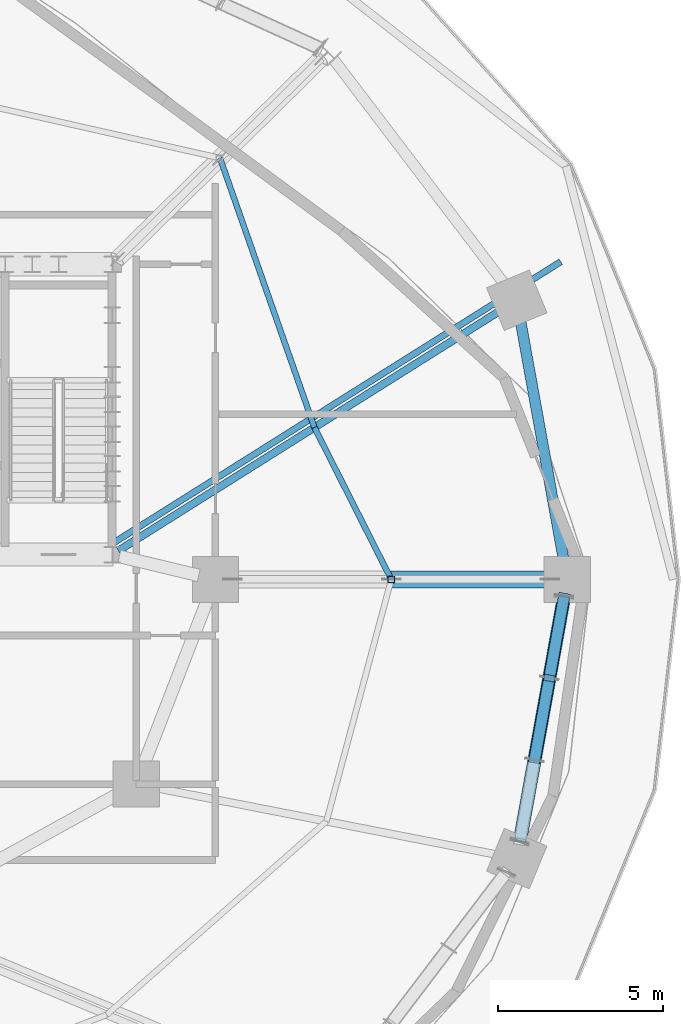
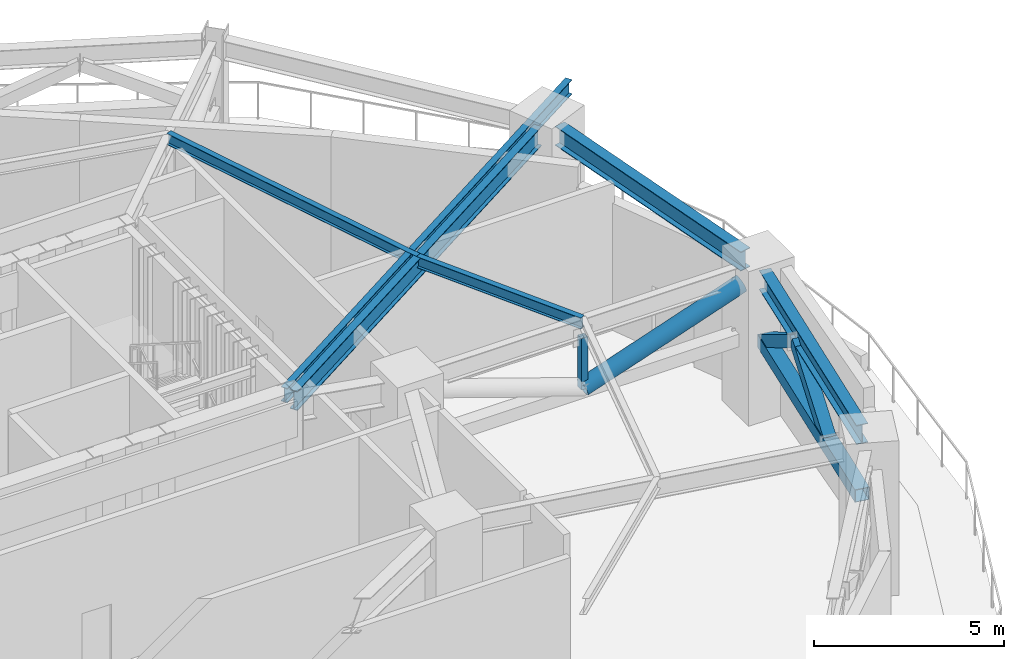
# One storey, part 5 of 18: 6 beams, 5 members.
"""IFC4 building model written with IfcOpenShell, lengths in metres."""

import ifcopenshell
import ifcopenshell.guid

model = None  # the IFC model being written
_history = None  # IfcOwnerHistory: only IFC2X3 demands one
_inside = {}  # id of a spatial element -> (the spatial element, [elements in it])
_under = {}  # id of a project, library or spatial element -> (it, [spatial elements below it])
_declared = {}  # id of a project -> (the project, [libraries it declares])
_typed = {}  # id of a type object -> (the type object, [elements of that type])
_made_of = {}  # id of a material, layer set ... -> (it, [elements and type objects made of it])


def new_model(schema):
    """Start an empty IFC model of exactly this schema.

    Asked for "IFC4X3", IfcOpenShell would pick the latest addendum, in which some entities
    have other attributes; the version numbers below select the first issue.
    IFC2X3 requires an IfcOwnerHistory on every rooted entity: one is made here for all.
    """
    global model, _history
    if schema == "IFC4X3":
        model = ifcopenshell.file(schema_version=(4, 3, 0, 0))
    else:
        model = ifcopenshell.file(schema=schema)
    _inside.clear()
    _under.clear()
    _declared.clear()
    _typed.clear()
    _made_of.clear()
    _history = None
    if model.schema == "IFC2X3":
        org = make("IfcOrganization", Name="unknown")
        user = make(
            "IfcPersonAndOrganization",
            ThePerson=make("IfcPerson", FamilyName="unknown"),
            TheOrganization=org,
        )
        app = make(
            "IfcApplication",
            ApplicationDeveloper=org,
            Version="unknown",
            ApplicationFullName="unknown",
            ApplicationIdentifier="unknown",
        )
        _history = make(
            "IfcOwnerHistory",
            OwningUser=user,
            OwningApplication=app,
            ChangeAction="ADDED",
            CreationDate=0,
        )
    return model


def make(cls, **values):
    """One entity of the class cls with the attributes given. An attribute that is None is left unset."""
    return model.create_entity(
        cls, **{name: value for name, value in values.items() if value is not None}
    )


def rooted(cls, **values):
    """An entity with a GlobalId (a new one), such as an element, a storey or a relation."""
    return make(cls, GlobalId=ifcopenshell.guid.new(), OwnerHistory=_history, **values)


def si_unit(unit_type, name, prefix=None):
    """IfcSIUnit, for example si_unit("LENGTHUNIT", "METRE", prefix="MILLI")."""
    return make("IfcSIUnit", UnitType=unit_type, Prefix=prefix, Name=name)


def assignment(units):
    """IfcUnitAssignment: the units of a project."""
    return None if units is None else make("IfcUnitAssignment", Units=units)


def point(xyz):
    """IfcCartesianPoint."""
    return None if xyz is None else make("IfcCartesianPoint", Coordinates=xyz)


def direction(xyz):
    """IfcDirection."""
    return None if xyz is None else make("IfcDirection", DirectionRatios=xyz)


def frame(location, z_axis=None, x_axis=None):
    """IfcAxis2Placement3D, a coordinate frame: its origin and axes. An axis left out is left unset."""
    return make(
        "IfcAxis2Placement3D",
        Location=point(location),
        Axis=direction(z_axis),
        RefDirection=direction(x_axis),
    )


def frame_2d(location, x_axis=None):
    """IfcAxis2Placement2D, a coordinate frame in the plane: its origin and x axis."""
    return make(
        "IfcAxis2Placement2D", Location=point(location), RefDirection=direction(x_axis)
    )


def origin():
    """The frame at (0, 0, 0) with its axes left unset."""
    return frame((0.0, 0.0, 0.0))


def origin_2d():
    """The frame at (0, 0) in the plane with its x axis left unset."""
    return frame_2d((0.0, 0.0))


def place(relative_to, where):
    """IfcLocalPlacement: puts the frame where relative to a parent placement (None: the world)."""
    return make(
        "IfcLocalPlacement", PlacementRelTo=relative_to, RelativePlacement=where
    )


def context(
    kind, dimensions, precision=None, world=None, true_north=None, identifier=None
):
    """IfcGeometricRepresentationContext, for example the 3D "Model" context."""
    return make(
        "IfcGeometricRepresentationContext",
        ContextIdentifier=identifier,
        ContextType=kind,
        CoordinateSpaceDimension=dimensions,
        Precision=precision,
        WorldCoordinateSystem=world,
        TrueNorth=true_north,
    )


def subcontext(parent, identifier, kind, view, scale=None):
    """IfcGeometricRepresentationSubContext, for example "Body" below "Model"."""
    return make(
        "IfcGeometricRepresentationSubContext",
        ContextIdentifier=identifier,
        ContextType=kind,
        ParentContext=parent,
        TargetScale=scale,
        TargetView=view,
    )


def project(units=None, contexts=None):
    """IfcProject with its units and contexts."""
    return rooted(
        "IfcProject",
        Name="project",
        RepresentationContexts=contexts,
        UnitsInContext=assignment(units),
    )


def spatial(cls, under=None, at=None, **own):
    """A site, building, storey or space (cls), placed at a placement, below another one or the project."""
    s = rooted(cls, ObjectPlacement=at, **own)
    if under is not None:
        _under.setdefault(under.id(), (under, []))[1].append(s)
    return s


def profile(cls, at=None, kind="AREA", **sizes):
    """A parametric profile (cls). Its sizes go by their IFC names, for example OverallWidth=200.0."""
    return make(cls, ProfileType=kind, Position=at, **sizes)


def hollow_rectangle(**sizes):
    """IfcRectangleHollowProfileDef."""
    return profile("IfcRectangleHollowProfileDef", **sizes)


def hollow_circle(**sizes):
    """IfcCircleHollowProfileDef."""
    return profile("IfcCircleHollowProfileDef", **sizes)


def i_section(**sizes):
    """IfcIShapeProfileDef."""
    return profile("IfcIShapeProfileDef", **sizes)


def extrude(swept, where, along, depth):
    """IfcExtrudedAreaSolid: the profile swept, set in the frame where, extruded along a direction by depth."""
    return make(
        "IfcExtrudedAreaSolid",
        SweptArea=swept,
        Position=where,
        ExtrudedDirection=direction(along),
        Depth=depth,
    )


def shape(context_of_items, identifier, shape_type, items):
    """IfcShapeRepresentation: the items that make up one representation, for example the "Body"."""
    return make(
        "IfcShapeRepresentation",
        ContextOfItems=context_of_items,
        RepresentationIdentifier=identifier,
        RepresentationType=shape_type,
        Items=items,
    )


def material(Name=None, Category=None):
    """IfcMaterial."""
    return make("IfcMaterial", Name=Name, Category=Category)


def material_profile(
    of_material, cross_section, Name=None, Category=None, Priority=None
):
    """IfcMaterialProfile: a cross section and its material."""
    return make(
        "IfcMaterialProfile",
        Name=Name,
        Material=of_material,
        Profile=cross_section,
        Priority=Priority,
        Category=Category,
    )


def profile_set(profiles, Name=None, composite=None):
    """IfcMaterialProfileSet."""
    return make(
        "IfcMaterialProfileSet",
        Name=Name,
        MaterialProfiles=profiles,
        CompositeProfile=composite,
    )


def made_of(thing, what):
    """Note that an element or type object is made of a material, layer set ...; save() writes the relation."""
    if what is not None:
        _made_of.setdefault(what.id(), (what, []))[1].append(thing)
    return thing


def type_object(cls, material=None, **own):
    """A type object (cls), such as IfcWallType, which elements share."""
    return made_of(rooted(cls, **own), material)


def element(
    cls,
    number,
    at=None,
    inside=None,
    cuts=None,
    type_object=None,
    material=None,
    context=None,
    identifier="Body",
    shape_type=None,
    held_by="IfcProductDefinitionShape",
    body=None,
    shapes=None,
    **own,
):
    """One element of the class cls, such as IfcWall. Its Tag is "e" and its number.

    at: its placement. inside: the storey or other place that contains it. cuts: it is an
    opening in that element (IfcRelVoidsElement). A single representation is given by context,
    identifier, shape_type and body (its items); several are given by shapes. held_by: the class
    of the entity that holds the representations. save() writes the other relations.
    """
    e = rooted(cls, Tag="e%d" % number, ObjectPlacement=at, **own)
    if body is not None:
        shapes = [shape(context, identifier, shape_type, body)]
    if shapes is not None:
        e.Representation = make(held_by, Representations=shapes)
    if inside is not None:
        _inside.setdefault(inside.id(), (inside, []))[1].append(e)
    if cuts is not None:
        rooted(
            "IfcRelVoidsElement", RelatingBuildingElement=cuts, RelatedOpeningElement=e
        )
    if type_object is not None:
        _typed.setdefault(type_object.id(), (type_object, []))[1].append(e)
    return made_of(e, material)


def aggregate(whole, parts):
    """IfcRelAggregates: a whole, such as a stair, and the parts it consists of."""
    return rooted("IfcRelAggregates", RelatingObject=whole, RelatedObjects=parts)


def save(model, path):
    """Write the relations noted so far, then the file.

    IfcRelAggregates (storeys below a building ...), IfcRelContainedInSpatialStructure (elements
    in a storey), IfcRelDefinesByType, IfcRelAssociatesMaterial and IfcRelDeclares: one each for
    every whole, place, type object, material and project.
    """
    for whole, parts in _under.values():
        aggregate(whole, parts)
    for where, things in _inside.values():
        rooted(
            "IfcRelContainedInSpatialStructure",
            RelatedElements=things,
            RelatingStructure=where,
        )
    for kind, things in _typed.values():
        rooted("IfcRelDefinesByType", RelatedObjects=things, RelatingType=kind)
    for what, things in _made_of.values():
        rooted("IfcRelAssociatesMaterial", RelatedObjects=things, RelatingMaterial=what)
    for by, libraries in _declared.values():
        rooted("IfcRelDeclares", RelatingContext=by, RelatedDefinitions=libraries)
    model.write(path)


model = new_model("IFC4")

# Units and contexts
model_context = context("Model", 3, precision=1e-05, world=origin(), true_north=direction((0.0, 1.0)))
body_context = subcontext(model_context, "Body", "Model", "MODEL_VIEW")
ifc_project = project(units=[si_unit("LENGTHUNIT", "METRE"), si_unit("AREAUNIT", "SQUARE_METRE"), si_unit("VOLUMEUNIT", "CUBIC_METRE"), si_unit("PLANEANGLEUNIT", "RADIAN"), si_unit("MASSUNIT", "GRAM", prefix="KILO")], contexts=[model_context])

# Site, building, storey
site_placement = place(None, origin())
site = spatial("IfcSite", under=ifc_project, at=site_placement, CompositionType="ELEMENT")
building_placement = place(site_placement, origin())
building = spatial("IfcBuilding", under=site, at=building_placement, Name="Haldorwick Loom Tower", CompositionType="ELEMENT")
storey_placement = place(building_placement, frame((0.0, 0.0, 76.800048828125)))
storey = spatial("IfcBuildingStorey", under=building, at=storey_placement, Name="L20", CompositionType="ELEMENT", Elevation=76.800048828125)

# Beams
ifc_material = material(Name="Steel CSA G40.21 350W", Category="steel")
ifc_material_profile_1 = material_profile(ifc_material, i_section(OverallWidth=0.193115234375, OverallDepth=0.466064453125, WebThickness=0.011474609375, FlangeThickness=0.01904296875, at=origin_2d()), Name="W460X97", Category="steel")
ifc_profile_set_1 = profile_set([ifc_material_profile_1], Name="Steel CSA G40.21 350W")
beam_type_1 = type_object("IfcBeamType", Name="STR-BM-BAL460", PredefinedType="BEAM", material=ifc_profile_set_1)
beam_1_placement = place(storey_placement, frame((50.111572265625, 27.106689453125, 4.52685546875), z_axis=(0.846609845451, 0.532214026108, 0.0), x_axis=(-0.532214026108, 0.846609845451, 0.0)))
element("IfcBeam", 1, at=beam_1_placement, inside=storey, type_object=beam_type_1, Name="L20 Continuous Back-Spanned Balcony Beam 4", PredefinedType="BEAM", context=body_context, shape_type="SweptSolid", body=[
    extrude(i_section(OverallWidth=0.193115234375, OverallDepth=0.466064453125, WebThickness=0.011474609375, FlangeThickness=0.01904296875, at=origin_2d()), origin(), (0.0, 0.0, 1.0), 16.0068359375),
])
ifc_material_profile_2 = material_profile(ifc_material, i_section(OverallWidth=0.172119140625, OverallDepth=0.35791015625, WebThickness=0.0078125, FlangeThickness=0.01318359375, at=origin_2d()), Name="W360X57", Category="steel")
ifc_profile_set_2 = profile_set([ifc_material_profile_2], Name="Steel CSA G40.21 350W")
beam_type_2 = type_object("IfcBeamType", Name="STR-BM-J360", PredefinedType="JOIST", material=ifc_profile_set_2)
beam_2_placement = place(storey_placement, frame((58.52880859375, 26.0, 4.5810546875), z_axis=(-0.451373231558, 0.892335254169, 0.0), x_axis=(-0.892335254169, -0.451373231558, 0.0)))
element("IfcBeam", 2, at=beam_2_placement, inside=storey, type_object=beam_type_2, Name="L20 Mid-Bay Secondary Joist 1", PredefinedType="JOIST", context=body_context, shape_type="SweptSolid", body=[
    extrude(i_section(OverallWidth=0.172119140625, OverallDepth=0.35791015625, WebThickness=0.0078125, FlangeThickness=0.01318359375, at=origin_2d()), origin(), (0.0, 0.0, 1.0), 5.158935546875),
])
beam_3_placement = place(storey_placement, frame((56.2001953125, 30.603515625, 4.5810546875), z_axis=(-0.330864603503, 0.943678236556, 0.0), x_axis=(-0.943678236556, -0.330864603503, 0.0)))
element("IfcBeam", 3, at=beam_3_placement, inside=storey, type_object=beam_type_2, Name="L20 Mid-Bay Secondary Joist 2", PredefinedType="JOIST", context=body_context, shape_type="SweptSolid", body=[
    extrude(i_section(OverallWidth=0.172119140625, OverallDepth=0.35791015625, WebThickness=0.0078125, FlangeThickness=0.01318359375, at=origin_2d()), origin(), (0.0, 0.0, 1.0), 8.6494140625),
])
ifc_material_profile_3 = material_profile(ifc_material, i_section(OverallWidth=0.324951171875, OverallDepth=0.615966796875, WebThickness=0.013916015625, FlangeThickness=0.021484375, at=origin_2d()), Name="W610X174", Category="steel")
ifc_profile_set_3 = profile_set([ifc_material_profile_3], Name="Steel CSA G40.21 350W")
beam_type_3 = type_object("IfcBeamType", Name="STR-BM-SP610", PredefinedType="SPANDREL", material=ifc_profile_set_3)
for number, where, z_axis, x_axis, name in (
    (4, (63.76513671875, 26.51171875, 4.451904296875), (-0.177659490888, 0.984092020747, 0.0), (-0.984092020747, -0.177659490888, 0.0), "L20 Perimeter Spandrel 1"),
    (5, (62.423095703125, 18.054443359375, 4.451904296875), (0.177659490888, 0.984092020747, 0.0), (-0.984092020747, 0.177659490888, 0.0), "L20 Perimeter Spandrel 16"),
):
    element("IfcBeam", number, at=place(storey_placement, frame(where, z_axis=z_axis, x_axis=x_axis)), inside=storey, type_object=beam_type_3, Name=name, PredefinedType="SPANDREL", context=body_context, shape_type="SweptSolid", body=[
        extrude(i_section(OverallWidth=0.324951171875, OverallDepth=0.615966796875, WebThickness=0.013916015625, FlangeThickness=0.021484375, at=origin_2d()), origin(), (0.0, 0.0, 1.0), 7.553955078125),
    ])
ifc_material_profile_4 = material_profile(ifc_material, i_section(OverallWidth=0.22998046875, OverallDepth=0.616943359375, WebThickness=0.01318359375, FlangeThickness=0.022216796875, at=origin_2d()), Name="W610X140", Category="steel")
ifc_profile_set_4 = profile_set([ifc_material_profile_4], Name="Steel CSA G40.21 350W")
beam_type_4 = type_object("IfcBeamType", Name="STR-BM-W610B", PredefinedType="BEAM", material=ifc_profile_set_4)
beam_4_placement = place(storey_placement, frame((50.260498046875, 26.86962890625, 4.451416015625), z_axis=(0.846609551433, 0.532214493811, 0.0), x_axis=(-0.532214493811, 0.846609551433, 0.0)))
element("IfcBeam", 6, at=beam_4_placement, inside=storey, type_object=beam_type_4, Name="L20 Radial Floor Girder 2", PredefinedType="BEAM", context=body_context, shape_type="SweptSolid", body=[
    extrude(i_section(OverallWidth=0.22998046875, OverallDepth=0.616943359375, WebThickness=0.01318359375, FlangeThickness=0.022216796875, at=origin_2d()), origin(), (0.0, 0.0, 1.0), 13.737060546875),
])

# Members
ifc_material_profile_5 = material_profile(ifc_material, hollow_rectangle(XDim=0.355712890625, YDim=0.355712890625, WallThickness=0.015869140625, at=origin_2d()), Name="HSS356X356X16", Category="steel")
ifc_profile_set_5 = profile_set([ifc_material_profile_5], Name="Steel CSA G40.21 350W")
member_type_1 = type_object("IfcMemberType", Name="STR-MEM-BR356", PredefinedType="BRACE", material=ifc_profile_set_5)
member_1_placement = place(storey_placement, frame((62.870361328125, 20.532470703125, 2.5), z_axis=(0.148818530754, 0.823982143275, 0.546723396671), x_axis=(-0.984078676094, 0.177733393761, 0.0)))
element("IfcMember", 7, at=member_1_placement, inside=storey, type_object=member_type_1, Name="L20 Perimeter Belt Truss Web Diagonal 16-2", PredefinedType="BRACE", context=body_context, shape_type="SweptSolid", body=[
    extrude(hollow_rectangle(XDim=0.355712890625, YDim=0.355712890625, WallThickness=0.015869140625, at=origin_2d()), origin(), (0.0, 0.0, 1.0), 3.007080078125),
])
member_2_placement = place(storey_placement, frame((63.31787109375, 23.01025390625, 4.14404296875), z_axis=(0.148729188823, 0.8240181586, -0.546693426602), x_axis=(-0.984098690471, 0.177622541965, 0.0)))
element("IfcMember", 8, at=member_2_placement, inside=storey, type_object=member_type_1, Name="L20 Perimeter Belt Truss Web Diagonal 16-3", PredefinedType="BRACE", context=body_context, shape_type="SweptSolid", body=[
    extrude(hollow_rectangle(XDim=0.355712890625, YDim=0.355712890625, WallThickness=0.015869140625, at=origin_2d()), origin(), (0.0, 0.0, 1.0), 3.00732421875),
])
ifc_material_profile_6 = material_profile(ifc_material, hollow_circle(Radius=0.25390625, WallThickness=0.015869140625, at=origin_2d()), Name="HSS508X16", Category="steel")
ifc_profile_set_6 = profile_set([ifc_material_profile_6], Name="Steel CSA G40.21 350W")
member_type_2 = type_object("IfcMemberType", Name="STR-MEM-BR508", PredefinedType="BRACE", material=ifc_profile_set_6)
member_3_placement = place(storey_placement, frame((58.52880859375, 26.0, 2.5), z_axis=(0.946288205536, 0.0, 0.32332434499), x_axis=(0.0, 1.0, 0.0)))
element("IfcMember", 9, at=member_3_placement, inside=storey, type_object=member_type_2, Name="L20 Outrigger OT-E Outer Diagonal", PredefinedType="BRACE", context=body_context, shape_type="SweptSolid", body=[
    extrude(hollow_circle(Radius=0.25390625, WallThickness=0.015869140625, at=origin_2d()), origin(), (0.0, 0.0, 1.0), 5.081787109375),
])
ifc_material_profile_7 = material_profile(ifc_material, hollow_rectangle(XDim=0.406494140625, YDim=0.406494140625, WallThickness=0.015869140625, at=origin_2d()), Name="HSS406X406X16", Category="steel")
ifc_profile_set_7 = profile_set([ifc_material_profile_7], Name="Steel CSA G40.21 350W")
member_type_3 = type_object("IfcMemberType", Name="STR-MEM-CH406", PredefinedType="CHORD", material=ifc_profile_set_7)
member_4_placement = place(storey_placement, frame((62.423095703125, 18.054443359375, 2.5), z_axis=(0.177659490888, 0.984092020747, 0.0), x_axis=(-0.984092020747, 0.177659490888, 0.0)))
element("IfcMember", 10, at=member_4_placement, inside=storey, type_object=member_type_3, Name="L20 Perimeter Belt Truss Bottom Chord 16", PredefinedType="CHORD", context=body_context, shape_type="SweptSolid", body=[
    extrude(hollow_rectangle(XDim=0.406494140625, YDim=0.406494140625, WallThickness=0.015869140625, at=origin_2d()), origin(), (0.0, 0.0, 1.0), 7.553955078125),
])
ifc_material_profile_8 = material_profile(ifc_material, hollow_rectangle(XDim=0.203125, YDim=0.203125, WallThickness=0.009521484375, at=origin_2d()), Name="HSS203X203X10", Category="steel")
ifc_profile_set_8 = profile_set([ifc_material_profile_8], Name="Steel CSA G40.21 350W")
member_type_4 = type_object("IfcMemberType", Name="STR-MEM-ST203", PredefinedType="STRUT", material=ifc_profile_set_8)
member_5_placement = place(storey_placement, frame((58.52880859375, 26.0, 2.5), z_axis=(0.0, 0.0, 1.0), x_axis=(1.0, 0.0, 0.0)))
element("IfcMember", 11, at=member_5_placement, inside=storey, type_object=member_type_4, Name="L20 Outrigger OT-E Mid Post", PredefinedType="STRUT", context=body_context, shape_type="SweptSolid", body=[
    extrude(hollow_rectangle(XDim=0.203125, YDim=0.203125, WallThickness=0.009521484375, at=origin_2d()), origin(), (0.0, 0.0, 1.0), 1.64306640625),
])

save(model, "model.ifc")
